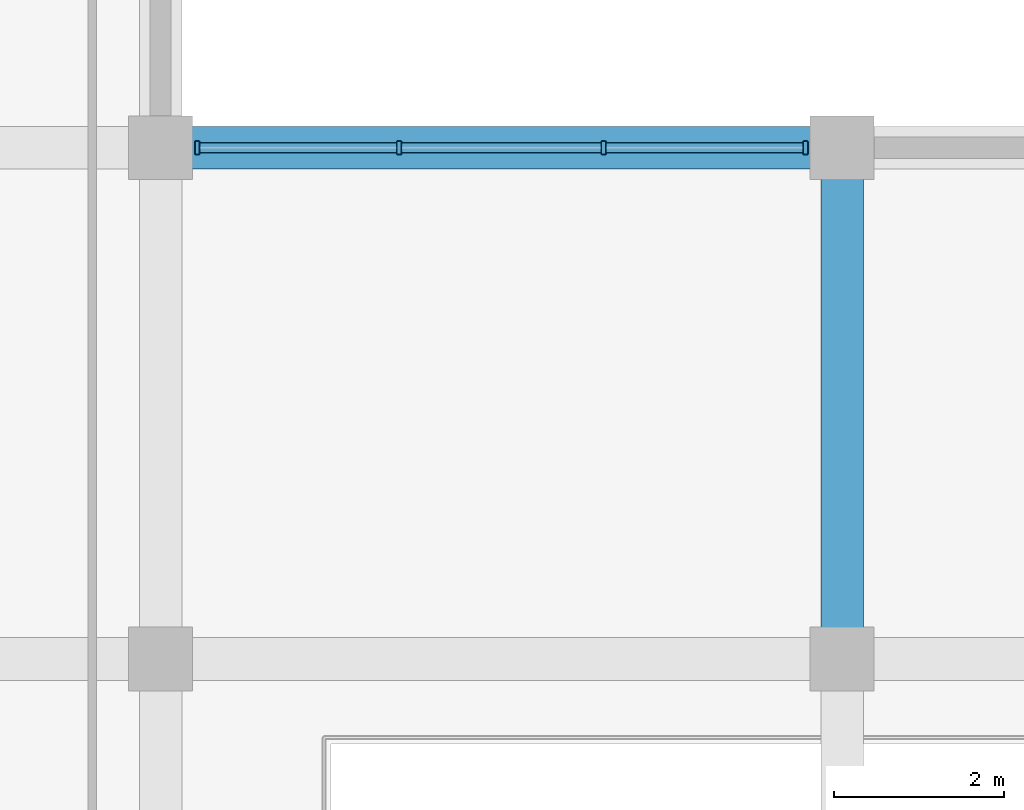
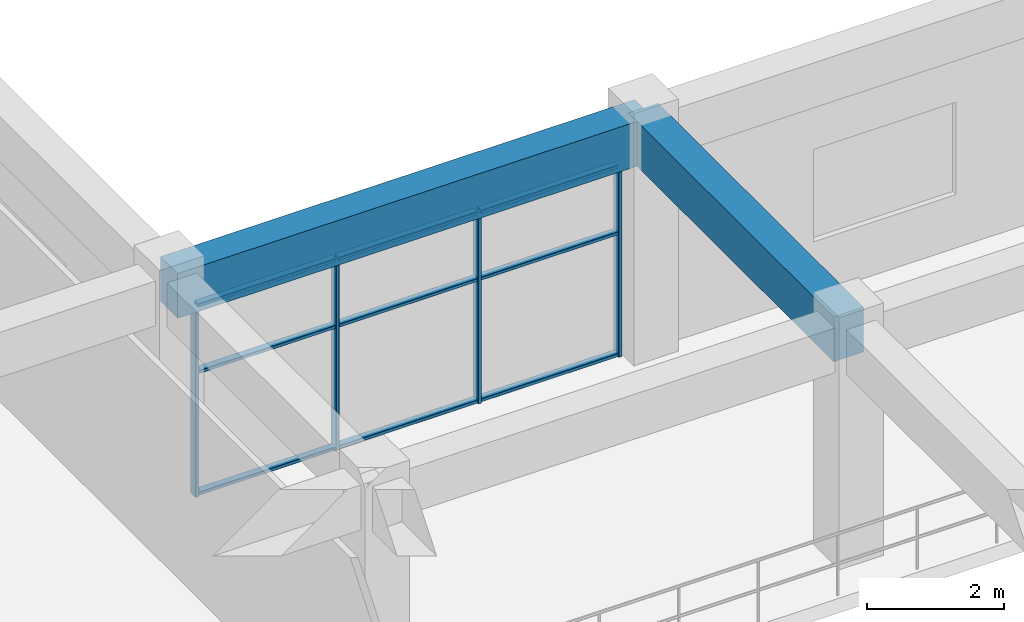
# One storey, part 10 of 55: 13 members, 2 beams, 1 element without a shape of its own.
"""IFC4 building model written with IfcOpenShell, lengths in metres."""

from ifc_helpers import new_model, si_unit, direction, frame, origin, origin_2d, place, context, subcontext, project, spatial, rectangle, hollow_rectangle, extrude, material, layer, layer_set, material_profile, profile_set, type_object, element, aggregate, save


model = new_model("IFC4")

# Units and contexts
model_context = context("Model", 3, precision=1e-05, world=origin(), true_north=direction((0.0, 1.0)))
body_context = subcontext(model_context, "Body", "Model", "MODEL_VIEW")
ifc_project = project(units=[si_unit("LENGTHUNIT", "METRE"), si_unit("AREAUNIT", "SQUARE_METRE"), si_unit("VOLUMEUNIT", "CUBIC_METRE"), si_unit("PLANEANGLEUNIT", "RADIAN"), si_unit("MASSUNIT", "GRAM", prefix="KILO")], contexts=[model_context])

# Site, building, storey
site_placement = place(None, origin())
site = spatial("IfcSite", under=ifc_project, at=site_placement, CompositionType="ELEMENT")
building_placement = place(site_placement, origin())
building = spatial("IfcBuilding", under=site, at=building_placement, Name="Kelanora Arch Commons", CompositionType="ELEMENT")
storey_placement = place(building_placement, frame((0.0, 0.0, 4.5)))
storey = spatial("IfcBuildingStorey", under=building, at=storey_placement, Name="L01", CompositionType="ELEMENT", Elevation=4.5)

# Beams
ifc_material_1 = material(Name="Concrete C40/50", Category="concrete")
ifc_material_profile_1 = material_profile(ifc_material_1, rectangle(XDim=0.5, YDim=0.800048828125, at=origin_2d()), Name="RCB500x800")
ifc_profile_set_1 = profile_set([ifc_material_profile_1], Name="Concrete C40/50")
beam_type = type_object("IfcBeamType", Name="BM-MKT-RC1", PredefinedType="BEAM", material=ifc_profile_set_1)
beam_1_placement = place(storey_placement, frame((36.0, 26.0, 3.840087890625), z_axis=(1.0, 0.0, 0.0), x_axis=(0.0, 1.0, 0.0)))
element("IfcBeam", 1, at=beam_1_placement, inside=storey, type_object=beam_type, Name="Market/Basement Frame Beam 086 L01", PredefinedType="BEAM", context=body_context, shape_type="SweptSolid", body=[
    extrude(rectangle(XDim=0.5, YDim=0.800048828125, at=origin_2d()), origin(), (0.0, 0.0, 1.0), 8.0),
])
beam_2_placement = place(storey_placement, frame((44.0, 20.0, 3.840087890625), z_axis=(0.0, 1.0, 0.0), x_axis=(-1.0, 0.0, 0.0)))
element("IfcBeam", 2, at=beam_2_placement, inside=storey, type_object=beam_type, Name="Market/Basement Frame Beam 099 L01", PredefinedType="BEAM", context=body_context, shape_type="SweptSolid", body=[
    extrude(rectangle(XDim=0.5, YDim=0.800048828125, at=origin_2d()), origin(), (0.0, 0.0, 1.0), 6.0),
])

# Curtain wall, members
ifc_material_2 = material(Name="Terracotta ceramic-fritted low-E glass and aluminium", Category="masonry")
ifc_layer = layer(ifc_material_2, 0.16796875)
ifc_layer_set = layer_set([ifc_layer], Name="Terracotta ceramic-fritted low-E glass and aluminium")
curtain_wall_type = type_object("IfcCurtainWallType", Name="CW-SYS-07", PredefinedType="NOTDEFINED", material=ifc_layer_set)
curtain_wall_placement = place(storey_placement, origin())
curtain_wall = element("IfcCurtainWall", 3, at=curtain_wall_placement, inside=storey, type_object=curtain_wall_type, Name="Market Hall Arcade Curtain Wall L01-22", PredefinedType="NOTDEFINED")
ifc_material_3 = material(Name="Powder-coated aluminium terracotta", Category="masonry")
ifc_material_profile_2 = material_profile(ifc_material_3, hollow_rectangle(XDim=0.159912109375, YDim=0.06005859375, WallThickness=0.0048828125, InnerFilletRadius=0.0048828125, OuterFilletRadius=0.010009765625, at=origin_2d()), Name="CWM160x60")
ifc_profile_set_2 = profile_set([ifc_material_profile_2], Name="Powder-coated aluminium terracotta")
member_type_1 = type_object("IfcMemberType", Name="CWM-STD", PredefinedType="MULLION", material=ifc_profile_set_2)
member_1_placement = place(storey_placement, frame((43.570068359375, 26.0, 0.0), z_axis=(0.0, 0.0, 1.0), x_axis=(0.0, -1.0, 0.0)))
member_1 = element("IfcMember", 4, at=member_1_placement, type_object=member_type_1, Name="CW-07 mullion 1", PredefinedType="MULLION", context=body_context, shape_type="SweptSolid", body=[
    extrude(hollow_rectangle(XDim=0.159912109375, YDim=0.06005859375, WallThickness=0.0048828125, InnerFilletRadius=0.0048828125, OuterFilletRadius=0.010009765625, at=origin_2d()), origin(), (0.0, 0.0, 1.0), 3.419921875),
])
member_2_placement = place(storey_placement, frame((41.199951171875, 26.0, 0.0), z_axis=(0.0, 0.0, 1.0), x_axis=(0.0, -1.0, 0.0)))
member_2 = element("IfcMember", 5, at=member_2_placement, type_object=member_type_1, Name="CW-07 mullion 2", PredefinedType="MULLION", context=body_context, shape_type="SweptSolid", body=[
    extrude(hollow_rectangle(XDim=0.159912109375, YDim=0.06005859375, WallThickness=0.0048828125, InnerFilletRadius=0.0048828125, OuterFilletRadius=0.010009765625, at=origin_2d()), origin(), (0.0, 0.0, 1.0), 3.419921875),
])
member_3_placement = place(storey_placement, frame((38.800048828125, 26.0, 0.0), z_axis=(0.0, 0.0, 1.0), x_axis=(0.0, -1.0, 0.0)))
member_3 = element("IfcMember", 6, at=member_3_placement, type_object=member_type_1, Name="CW-07 mullion 3", PredefinedType="MULLION", context=body_context, shape_type="SweptSolid", body=[
    extrude(hollow_rectangle(XDim=0.159912109375, YDim=0.06005859375, WallThickness=0.0048828125, InnerFilletRadius=0.0048828125, OuterFilletRadius=0.010009765625, at=origin_2d()), origin(), (0.0, 0.0, 1.0), 3.419921875),
])
member_4_placement = place(storey_placement, frame((36.429931640625, 26.0, 0.0), z_axis=(0.0, 0.0, 1.0), x_axis=(0.0, -1.0, 0.0)))
member_4 = element("IfcMember", 7, at=member_4_placement, type_object=member_type_1, Name="CW-07 mullion 4", PredefinedType="MULLION", context=body_context, shape_type="SweptSolid", body=[
    extrude(hollow_rectangle(XDim=0.159912109375, YDim=0.06005859375, WallThickness=0.0048828125, InnerFilletRadius=0.0048828125, OuterFilletRadius=0.010009765625, at=origin_2d()), origin(), (0.0, 0.0, 1.0), 3.419921875),
])
ifc_material_profile_3 = material_profile(ifc_material_3, hollow_rectangle(XDim=0.1201171875, YDim=0.06005859375, WallThickness=0.0048828125, InnerFilletRadius=0.0048828125, OuterFilletRadius=0.010009765625, at=origin_2d()), Name="CWT120x60")
ifc_profile_set_3 = profile_set([ifc_material_profile_3], Name="Powder-coated aluminium terracotta")
member_type_2 = type_object("IfcMemberType", Name="CWT-STD", PredefinedType="USERDEFINED", material=ifc_profile_set_3)
member_5_placement = place(storey_placement, frame((43.5400390625, 26.0, 0.030029296875), z_axis=(-1.0, 0.0, 0.0), x_axis=(0.0, -1.0, 0.0)))
member_5 = element("IfcMember", 8, at=member_5_placement, type_object=member_type_2, Name="CW-07 transom 1.1", ObjectType="TRANSOM", PredefinedType="USERDEFINED", context=body_context, shape_type="SweptSolid", body=[
    extrude(hollow_rectangle(XDim=0.1201171875, YDim=0.06005859375, WallThickness=0.0048828125, InnerFilletRadius=0.0048828125, OuterFilletRadius=0.010009765625, at=origin_2d()), origin(), (0.0, 0.0, 1.0), 2.31005859375),
])
member_6_placement = place(storey_placement, frame((43.5400390625, 26.0, 2.199951171875), z_axis=(-1.0, 0.0, 0.0), x_axis=(0.0, -1.0, 0.0)))
member_6 = element("IfcMember", 9, at=member_6_placement, type_object=member_type_2, Name="CW-07 transom 1.2", ObjectType="TRANSOM", PredefinedType="USERDEFINED", context=body_context, shape_type="SweptSolid", body=[
    extrude(hollow_rectangle(XDim=0.1201171875, YDim=0.06005859375, WallThickness=0.0048828125, InnerFilletRadius=0.0048828125, OuterFilletRadius=0.010009765625, at=origin_2d()), origin(), (0.0, 0.0, 1.0), 2.31005859375),
])
member_7_placement = place(storey_placement, frame((43.5400390625, 26.0, 3.389892578125), z_axis=(-1.0, 0.0, 0.0), x_axis=(0.0, -1.0, 0.0)))
member_7 = element("IfcMember", 10, at=member_7_placement, type_object=member_type_2, Name="CW-07 transom 1.3", ObjectType="TRANSOM", PredefinedType="USERDEFINED", context=body_context, shape_type="SweptSolid", body=[
    extrude(hollow_rectangle(XDim=0.1201171875, YDim=0.06005859375, WallThickness=0.0048828125, InnerFilletRadius=0.0048828125, OuterFilletRadius=0.010009765625, at=origin_2d()), origin(), (0.0, 0.0, 1.0), 2.31005859375),
])
member_8_placement = place(storey_placement, frame((41.169921875, 26.0, 0.030029296875), z_axis=(-1.0, 0.0, 0.0), x_axis=(0.0, -1.0, 0.0)))
member_8 = element("IfcMember", 11, at=member_8_placement, type_object=member_type_2, Name="CW-07 transom 2.1", ObjectType="TRANSOM", PredefinedType="USERDEFINED", context=body_context, shape_type="SweptSolid", body=[
    extrude(hollow_rectangle(XDim=0.1201171875, YDim=0.06005859375, WallThickness=0.0048828125, InnerFilletRadius=0.0048828125, OuterFilletRadius=0.010009765625, at=origin_2d()), origin(), (0.0, 0.0, 1.0), 2.33984375),
])
member_9_placement = place(storey_placement, frame((41.169921875, 26.0, 2.199951171875), z_axis=(-1.0, 0.0, 0.0), x_axis=(0.0, -1.0, 0.0)))
member_9 = element("IfcMember", 12, at=member_9_placement, type_object=member_type_2, Name="CW-07 transom 2.2", ObjectType="TRANSOM", PredefinedType="USERDEFINED", context=body_context, shape_type="SweptSolid", body=[
    extrude(hollow_rectangle(XDim=0.1201171875, YDim=0.06005859375, WallThickness=0.0048828125, InnerFilletRadius=0.0048828125, OuterFilletRadius=0.010009765625, at=origin_2d()), origin(), (0.0, 0.0, 1.0), 2.33984375),
])
member_10_placement = place(storey_placement, frame((41.169921875, 26.0, 3.389892578125), z_axis=(-1.0, 0.0, 0.0), x_axis=(0.0, -1.0, 0.0)))
member_10 = element("IfcMember", 13, at=member_10_placement, type_object=member_type_2, Name="CW-07 transom 2.3", ObjectType="TRANSOM", PredefinedType="USERDEFINED", context=body_context, shape_type="SweptSolid", body=[
    extrude(hollow_rectangle(XDim=0.1201171875, YDim=0.06005859375, WallThickness=0.0048828125, InnerFilletRadius=0.0048828125, OuterFilletRadius=0.010009765625, at=origin_2d()), origin(), (0.0, 0.0, 1.0), 2.33984375),
])
member_11_placement = place(storey_placement, frame((38.77001953125, 26.0, 0.030029296875), z_axis=(-1.0, 0.0, 0.0), x_axis=(0.0, -1.0, 0.0)))
member_11 = element("IfcMember", 14, at=member_11_placement, type_object=member_type_2, Name="CW-07 transom 3.1", ObjectType="TRANSOM", PredefinedType="USERDEFINED", context=body_context, shape_type="SweptSolid", body=[
    extrude(hollow_rectangle(XDim=0.1201171875, YDim=0.06005859375, WallThickness=0.0048828125, InnerFilletRadius=0.0048828125, OuterFilletRadius=0.010009765625, at=origin_2d()), origin(), (0.0, 0.0, 1.0), 2.31005859375),
])
member_12_placement = place(storey_placement, frame((38.77001953125, 26.0, 2.199951171875), z_axis=(-1.0, 0.0, 0.0), x_axis=(0.0, -1.0, 0.0)))
member_12 = element("IfcMember", 15, at=member_12_placement, type_object=member_type_2, Name="CW-07 transom 3.2", ObjectType="TRANSOM", PredefinedType="USERDEFINED", context=body_context, shape_type="SweptSolid", body=[
    extrude(hollow_rectangle(XDim=0.1201171875, YDim=0.06005859375, WallThickness=0.0048828125, InnerFilletRadius=0.0048828125, OuterFilletRadius=0.010009765625, at=origin_2d()), origin(), (0.0, 0.0, 1.0), 2.31005859375),
])
member_13_placement = place(storey_placement, frame((38.77001953125, 26.0, 3.389892578125), z_axis=(-1.0, 0.0, 0.0), x_axis=(0.0, -1.0, 0.0)))
member_13 = element("IfcMember", 16, at=member_13_placement, type_object=member_type_2, Name="CW-07 transom 3.3", ObjectType="TRANSOM", PredefinedType="USERDEFINED", context=body_context, shape_type="SweptSolid", body=[
    extrude(hollow_rectangle(XDim=0.1201171875, YDim=0.06005859375, WallThickness=0.0048828125, InnerFilletRadius=0.0048828125, OuterFilletRadius=0.010009765625, at=origin_2d()), origin(), (0.0, 0.0, 1.0), 2.31005859375),
])
aggregate(curtain_wall, [member_1, member_2, member_3, member_4, member_5, member_6, member_7, member_8, member_9, member_10, member_11, member_12, member_13])

save(model, "model.ifc")
